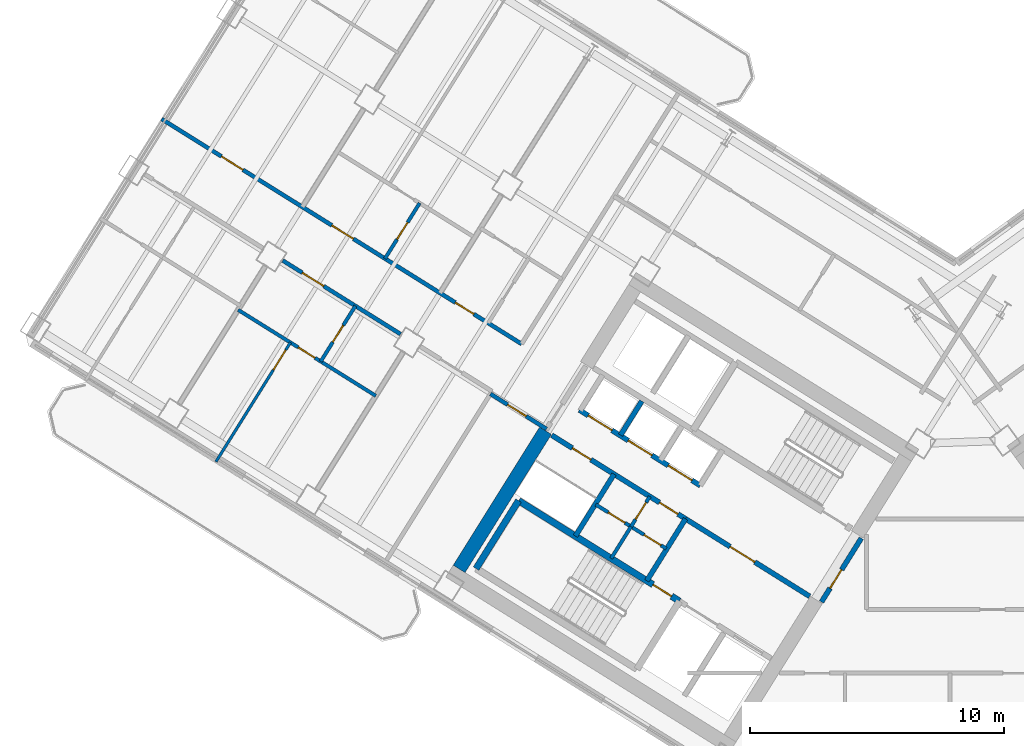
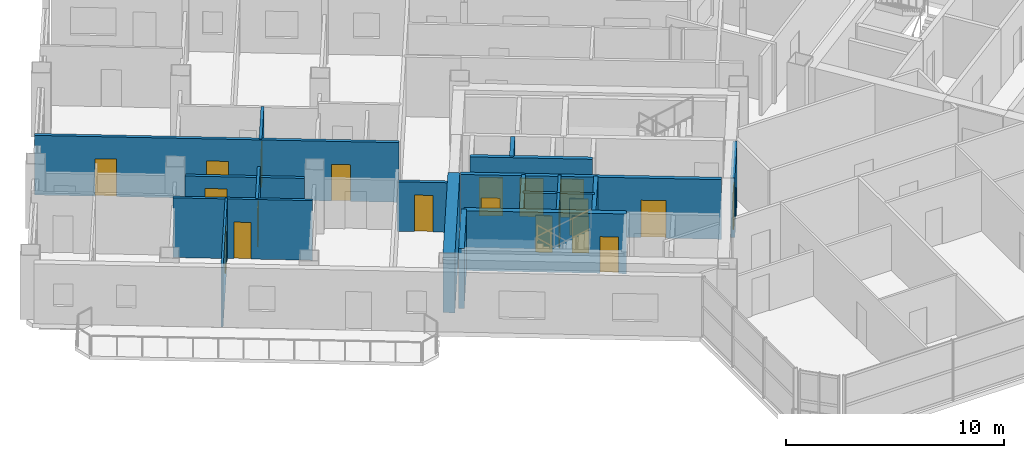
# One storey, part 12 of 21: 20 doors, 20 walls, 20 openings.
"""IFC4 building model written with IfcOpenShell, lengths in metres."""

from ifc_helpers import new_model, si_unit, direction, frame, frame_2d, origin, place, context, subcontext, project, spatial, rectangle, extrude, source, transform, mapped, material, layer, layer_set, type_object, element, fill, save


model = new_model("IFC4")

# Units and contexts
model_context = context("Model", 3, precision=1e-05, world=origin(), true_north=direction((0.0, 1.0)))
body_context = subcontext(model_context, "Body", "Model", "MODEL_VIEW")
ifc_project = project(units=[si_unit("LENGTHUNIT", "METRE"), si_unit("AREAUNIT", "SQUARE_METRE"), si_unit("VOLUMEUNIT", "CUBIC_METRE"), si_unit("PLANEANGLEUNIT", "RADIAN"), si_unit("MASSUNIT", "GRAM", prefix="KILO")], contexts=[model_context])

# Site, building, storey
site_placement = place(None, origin())
site = spatial("IfcSite", under=ifc_project, at=site_placement, CompositionType="ELEMENT")
building_placement = place(site_placement, origin())
building = spatial("IfcBuilding", under=site, at=building_placement, Name="Tlacorven Tower", CompositionType="ELEMENT")
storey_placement = place(building_placement, frame((0.0, 0.0, 112.5)))
storey = spatial("IfcBuildingStorey", under=building, at=storey_placement, Name="L28", CompositionType="ELEMENT", Elevation=112.5)

# Wall
ifc_material_1 = material(Name="Concrete C60/75", Category="concrete")
ifc_layer_1 = layer(ifc_material_1, 0.550048828125)
ifc_layer_set_1 = layer_set([ifc_layer_1], Name="Concrete C60/75")
wall_type_1 = type_object("IfcWallType", Name="WL-COR-550", PredefinedType="SHEAR", material=ifc_layer_set_1)
wall_1_placement = place(storey_placement, frame((26.006591796875, 24.975830078125, 0.0), z_axis=(0.0, 0.0, 1.0), x_axis=(-0.529923795287, -0.848045264823, 0.0)))
element("IfcWall", 1, at=wall_1_placement, inside=storey, type_object=wall_type_1, Name="L28 W core end wall E2.2", PredefinedType="SHEAR", context=body_context, shape_type="SweptSolid", body=[
    extrude(rectangle(XDim=6.425048828125, YDim=0.550048828125, at=frame_2d((3.21240234375, 0.0))), origin(), (0.0, 0.0, 1.0), 3.35009765625),
])

# Wall, opening, door
ifc_material_2 = material(Name="Gypsum plasterboard acoustic partition", Category="gypsum")
ifc_layer_2 = layer(ifc_material_2, 0.159912109375)
ifc_layer_set_2 = layer_set([ifc_layer_2], Name="Gypsum plasterboard acoustic partition")
wall_type_2 = type_object("IfcWallType", Name="WL-DEM-160", PredefinedType="PARTITIONING", material=ifc_layer_set_2)
wall_2_placement = place(storey_placement, frame((26.048828125, 25.043701171875, 0.0), z_axis=(0.0, 0.0, 1.0), x_axis=(-0.848050851465, 0.529914854792, 0.0)))
wall_2 = element("IfcWall", 2, at=wall_2_placement, inside=storey, type_object=wall_type_2, Name="L28 partition 46", PredefinedType="PARTITIONING", context=body_context, shape_type="SweptSolid", body=[
    extrude(rectangle(XDim=2.60986328125, YDim=0.159912109375, at=frame_2d((1.304931640625, 0.0))), origin(), (0.0, 0.0, 1.0), 2.77490234375),
])
opening_1_placement = place(wall_2_placement, frame((0.949951171875, 0.0, 0.0)))
opening_1 = element("IfcOpeningElement", 3, at=opening_1_placement, cuts=wall_2, Name="Opening D19", PredefinedType="OPENING", context=body_context, shape_type="SweptSolid", body=[
    extrude(rectangle(XDim=0.860107421875, YDim=2.050048828125, at=frame_2d((0.43017578125, 1.02490234375))), frame((0.0, 0.08984375, 0.0), z_axis=(0.0, -1.0, 0.0), x_axis=(1.0, 0.0, 0.0)), (0.0, 0.0, 1.0), 0.179931640625),
])
ifc_material_3 = material(Name="Fire-rated steel door assembly", Category="steel")
door_type_1 = type_object("IfcDoorType", Name="DR-RSR-FD60-0860", OperationType="NOTDEFINED", PredefinedType="DOOR", material=ifc_material_3)
shared_shape_1 = source(origin(), body_context, "Body", "SweptSolid", [
    extrude(rectangle(XDim=0.860107421875, YDim=2.050048828125, at=frame_2d((0.43017578125, 1.02490234375))), frame((0.0, 0.02490234375, 0.0), z_axis=(0.0, -1.0, 0.0), x_axis=(1.0, 0.0, 0.0)), (0.0, 0.0, 1.0), 0.050048828125),
])
door_1_placement = place(opening_1_placement, origin())
door_1 = element("IfcDoor", 4, at=door_1_placement, inside=storey, type_object=door_type_1, Name="L28 door 022", OperationType="SINGLE_SWING_RIGHT", OverallHeight=2.050048828125, OverallWidth=0.860107421875, PredefinedType="DOOR", context=body_context, shape_type="MappedRepresentation", body=[
    mapped(shared_shape_1, transform((0.0, 0.0, 0.0), scale=1.0)),
])
fill(opening_1, door_1)

# Wall, openings, doors
wall_3_placement = place(storey_placement, frame((25.06494140625, 28.394287109375, 0.0), z_axis=(0.0, 0.0, 1.0), x_axis=(-0.848048310262, 0.529918921593, 0.0)))
wall_3 = element("IfcWall", 5, at=wall_3_placement, inside=storey, type_object=wall_type_2, Name="L28 Wing W Corridor South Wall", PredefinedType="PARTITIONING", context=body_context, shape_type="SweptSolid", body=[
    extrude(rectangle(XDim=16.72998046875, YDim=0.159912109375, at=frame_2d((8.364990234375, 0.0))), origin(), (0.0, 0.0, 1.0), 3.340087890625),
])
opening_2_placement = place(wall_3_placement, frame((2.219970703125, 0.0, 0.0)))
opening_2 = element("IfcOpeningElement", 6, at=opening_2_placement, cuts=wall_3, Name="Opening D19", PredefinedType="OPENING", context=body_context, shape_type="SweptSolid", body=[
    extrude(rectangle(XDim=0.860107421875, YDim=2.050048828125, at=frame_2d((0.43017578125, 1.02490234375))), frame((0.0, 0.08984375, 0.0), z_axis=(0.0, -1.0, 0.0), x_axis=(1.0, 0.0, 0.0)), (0.0, 0.0, 1.0), 0.179931640625),
])
opening_3_placement = place(wall_3_placement, frame((7.820068359375, 0.0, 0.0)))
opening_3 = element("IfcOpeningElement", 7, at=opening_3_placement, cuts=wall_3, Name="Opening D11", PredefinedType="OPENING", context=body_context, shape_type="SweptSolid", body=[
    extrude(rectangle(XDim=1.0, YDim=2.10009765625, at=frame_2d((0.5, 1.050048828125))), frame((0.0, 0.08984375, 0.0), z_axis=(0.0, -1.0, 0.0), x_axis=(1.0, 0.0, 0.0)), (0.0, 0.0, 1.0), 0.179931640625),
])
opening_4_placement = place(wall_3_placement, frame((12.949951171875, 0.0, 0.0)))
opening_4 = element("IfcOpeningElement", 8, at=opening_4_placement, cuts=wall_3, Name="Opening D11", PredefinedType="OPENING", context=body_context, shape_type="SweptSolid", body=[
    extrude(rectangle(XDim=1.0, YDim=2.10009765625, at=frame_2d((0.5, 1.050048828125))), frame((0.0, 0.08984375, 0.0), z_axis=(0.0, -1.0, 0.0), x_axis=(1.0, 0.0, 0.0)), (0.0, 0.0, 1.0), 0.179931640625),
])
door_2_placement = place(opening_2_placement, origin())
door_2 = element("IfcDoor", 9, at=door_2_placement, inside=storey, type_object=door_type_1, Name="L28 door 034", OperationType="SINGLE_SWING_LEFT", OverallHeight=2.050048828125, OverallWidth=0.860107421875, PredefinedType="DOOR", context=body_context, shape_type="MappedRepresentation", body=[
    mapped(shared_shape_1, transform((0.0, 0.0, 0.0), scale=1.0)),
])
fill(opening_2, door_2)
door_type_2 = type_object("IfcDoorType", Name="DR-FLT-FD60-1000", OperationType="NOTDEFINED", PredefinedType="DOOR", material=ifc_material_3)
shared_shape_2 = source(origin(), body_context, "Body", "SweptSolid", [
    extrude(rectangle(XDim=1.0, YDim=2.10009765625, at=frame_2d((0.5, 1.050048828125))), frame((0.0, 0.02490234375, 0.0), z_axis=(0.0, -1.0, 0.0), x_axis=(1.0, 0.0, 0.0)), (0.0, 0.0, 1.0), 0.050048828125),
])
door_3_placement = place(opening_3_placement, origin())
door_3 = element("IfcDoor", 10, at=door_3_placement, inside=storey, type_object=door_type_2, Name="L28 door 038", OperationType="SINGLE_SWING_LEFT", OverallHeight=2.10009765625, OverallWidth=1.0, PredefinedType="DOOR", context=body_context, shape_type="MappedRepresentation", body=[
    mapped(shared_shape_2, transform((0.0, 0.0, 0.0), scale=1.0)),
])
fill(opening_3, door_3)
door_4_placement = place(opening_4_placement, origin())
door_4 = element("IfcDoor", 11, at=door_4_placement, inside=storey, type_object=door_type_2, Name="L28 door 041", OperationType="SINGLE_SWING_RIGHT", OverallHeight=2.10009765625, OverallWidth=1.0, PredefinedType="DOOR", context=body_context, shape_type="MappedRepresentation", body=[
    mapped(shared_shape_2, transform((0.0, 0.0, 0.0), scale=1.0)),
])
fill(opening_4, door_4)

# Wall, opening, door
wall_4_placement = place(storey_placement, frame((20.293212890625, 28.78173828125, 0.0), z_axis=(0.0, 0.0, 1.0), x_axis=(-0.848040881926, 0.529930809241, 0.0)))
wall_4 = element("IfcWall", 12, at=wall_4_placement, inside=storey, type_object=wall_type_2, Name="L28 Wing W Corridor North Wall", PredefinedType="PARTITIONING", context=body_context, shape_type="SweptSolid", body=[
    extrude(rectangle(XDim=5.475830078125, YDim=0.159912109375, at=frame_2d((2.73779296875, 0.0))), origin(), (0.0, 0.0, 1.0), 2.77490234375),
])
opening_5_placement = place(wall_4_placement, frame((3.568115234375, 0.0, 0.0)))
opening_5 = element("IfcOpeningElement", 13, at=opening_5_placement, cuts=wall_4, Name="Opening D11", PredefinedType="OPENING", context=body_context, shape_type="SweptSolid", body=[
    extrude(rectangle(XDim=1.0, YDim=2.10009765625, at=frame_2d((0.5, 1.050048828125))), frame((0.0, 0.08984375, 0.0), z_axis=(0.0, -1.0, 0.0), x_axis=(1.0, 0.0, 0.0)), (0.0, 0.0, 1.0), 0.179931640625),
])
door_5_placement = place(opening_5_placement, origin())
door_5 = element("IfcDoor", 14, at=door_5_placement, inside=storey, type_object=door_type_2, Name="L28 door 026", OperationType="SINGLE_SWING_LEFT", OverallHeight=2.10009765625, OverallWidth=1.0, PredefinedType="DOOR", context=body_context, shape_type="MappedRepresentation", body=[
    mapped(shared_shape_2, transform((0.0, 0.0, 0.0), scale=1.0)),
])
fill(opening_5, door_5)

ifc_material_4 = material(Name="Gypsum plasterboard partition", Category="gypsum")
ifc_layer_3 = layer(ifc_material_4, 0.110107421875)
ifc_layer_set_3 = layer_set([ifc_layer_3], Name="Gypsum plasterboard partition")
wall_type_3 = type_object("IfcWallType", Name="WL-INT-110", PredefinedType="PARTITIONING", material=ifc_layer_set_3)
wall_5_placement = place(storey_placement, frame((15.952880859375, 28.45166015625, 0.0), z_axis=(0.0, 0.0, 1.0), x_axis=(-0.529919714018, -0.848047815099, 0.0)))
wall_5 = element("IfcWall", 15, at=wall_5_placement, inside=storey, type_object=wall_type_3, Name="L28 partition 56", PredefinedType="PARTITIONING", context=body_context, shape_type="SweptSolid", body=[
    extrude(rectangle(XDim=5.5400390625, YDim=0.110107421875, at=frame_2d((2.77001953125, 0.0))), origin(), (0.0, 0.0, 1.0), 3.340087890625),
])
opening_6_placement = place(wall_5_placement, frame((0.35009765625, 0.0, 0.0)))
opening_6 = element("IfcOpeningElement", 16, at=opening_6_placement, cuts=wall_5, Name="Opening D12", PredefinedType="OPENING", context=body_context, shape_type="SweptSolid", body=[
    extrude(rectangle(XDim=0.919921875, YDim=2.080078125, at=frame_2d((0.4599609375, 1.0400390625))), frame((0.0, 0.06494140625, 0.0), z_axis=(0.0, -1.0, 0.0), x_axis=(1.0, 0.0, 0.0)), (0.0, 0.0, 1.0), 0.130126953125),
])
ifc_material_5 = material(Name="Powder-coated aluminium and timber door", Category="wood")
door_type_3 = type_object("IfcDoorType", Name="DR-INT-ROOM-0920", OperationType="NOTDEFINED", PredefinedType="DOOR", material=ifc_material_5)
shared_shape_3 = source(origin(), body_context, "Body", "SweptSolid", [
    extrude(rectangle(XDim=0.919921875, YDim=2.080078125, at=frame_2d((0.4599609375, 1.0400390625))), frame((0.0, 0.02490234375, 0.0), z_axis=(0.0, -1.0, 0.0), x_axis=(1.0, 0.0, 0.0)), (0.0, 0.0, 1.0), 0.050048828125),
])
door_6_placement = place(opening_6_placement, origin())
door_6 = element("IfcDoor", 17, at=door_6_placement, inside=storey, type_object=door_type_3, Name="L28 door 025", OperationType="SINGLE_SWING_RIGHT", OverallHeight=2.080078125, OverallWidth=0.919921875, PredefinedType="DOOR", context=body_context, shape_type="MappedRepresentation", body=[
    mapped(shared_shape_3, transform((0.0, 0.0, 0.0), scale=1.0)),
])
fill(opening_6, door_6)

ifc_material_6 = material(Name="Moisture-resistant gypsum plumbing wall", Category="gypsum")
ifc_layer_4 = layer(ifc_material_6, 0.139892578125)
ifc_layer_set_4 = layer_set([ifc_layer_4], Name="Moisture-resistant gypsum plumbing wall")
wall_type_4 = type_object("IfcWallType", Name="WL-PLM-140", PredefinedType="PLUMBINGWALL", material=ifc_layer_set_4)
wall_6_placement = place(storey_placement, frame((30.117431640625, 22.383544921875, 0.0), z_axis=(0.0, 0.0, 1.0), x_axis=(-0.529951914384, -0.848027693204, 0.0)))
wall_6 = element("IfcWall", 18, at=wall_6_placement, inside=storey, type_object=wall_type_4, Name="L28 partition 23", PredefinedType="PLUMBINGWALL", context=body_context, shape_type="SweptSolid", body=[
    extrude(rectangle(XDim=1.39990234375, YDim=0.139892578125, at=frame_2d((0.699951171875, 0.0))), origin(), (0.0, 0.0, 1.0), 3.340087890625),
])
opening_7_placement = place(wall_6_placement, frame((0.280029296875, 0.0, 0.0)))
opening_7 = element("IfcOpeningElement", 19, at=opening_7_placement, cuts=wall_6, Name="Opening D22", PredefinedType="OPENING", context=body_context, shape_type="SweptSolid", body=[
    extrude(rectangle(XDim=0.780029296875, YDim=2.050048828125, at=frame_2d((0.39013671875, 1.02490234375))), frame((0.0, 0.080078125, 0.0), z_axis=(0.0, -1.0, 0.0), x_axis=(1.0, 0.0, 0.0)), (0.0, 0.0, 1.0), 0.159912109375),
])
door_type_4 = type_object("IfcDoorType", Name="DR-INT-WET-0780", OperationType="NOTDEFINED", PredefinedType="DOOR", material=ifc_material_5)
shared_shape_4 = source(origin(), body_context, "Body", "SweptSolid", [
    extrude(rectangle(XDim=0.780029296875, YDim=2.050048828125, at=frame_2d((0.39013671875, 1.02490234375))), frame((0.0, 0.02490234375, 0.0), z_axis=(0.0, -1.0, 0.0), x_axis=(1.0, 0.0, 0.0)), (0.0, 0.0, 1.0), 0.050048828125),
])
door_7_placement = place(opening_7_placement, origin())
door_7 = element("IfcDoor", 20, at=door_7_placement, inside=storey, type_object=door_type_4, Name="L28 door 011", OperationType="SINGLE_SWING_LEFT", OverallHeight=2.050048828125, OverallWidth=0.780029296875, PredefinedType="DOOR", context=body_context, shape_type="MappedRepresentation", body=[
    mapped(shared_shape_4, transform((0.0, 0.0, 0.0), scale=1.0)),
])
fill(opening_7, door_7)

# Wall
wall_7_placement = place(storey_placement, frame((29.37548828125, 21.1962890625, 0.0), z_axis=(0.0, 0.0, 1.0), x_axis=(-0.529865479138, -0.848081702443, 0.0)))
element("IfcWall", 21, at=wall_7_placement, inside=storey, type_object=wall_type_4, Name="L28 partition 24", PredefinedType="PLUMBINGWALL", context=body_context, shape_type="SweptSolid", body=[
    extrude(rectangle(XDim=1.47998046875, YDim=0.139892578125, at=frame_2d((0.739990234375, 0.0))), origin(), (0.0, 0.0, 1.0), 3.340087890625),
])

# Wall, openings, doors
wall_8_placement = place(storey_placement, frame((30.766357421875, 20.3271484375, 0.0), z_axis=(0.0, 0.0, 1.0), x_axis=(-0.848052663127, 0.529911955482, 0.0)))
wall_8 = element("IfcWall", 22, at=wall_8_placement, inside=storey, type_object=wall_type_4, Name="L28 partition 25", PredefinedType="PLUMBINGWALL", context=body_context, shape_type="SweptSolid", body=[
    extrude(rectangle(XDim=3.27978515625, YDim=0.139892578125, at=frame_2d((1.639892578125, 0.0))), origin(), (0.0, 0.0, 1.0), 3.340087890625),
])
opening_8_placement = place(wall_8_placement, frame((0.25, 0.0, 0.0)))
opening_8 = element("IfcOpeningElement", 23, at=opening_8_placement, cuts=wall_8, Name="Opening D22", PredefinedType="OPENING", context=body_context, shape_type="SweptSolid", body=[
    extrude(rectangle(XDim=0.780029296875, YDim=2.050048828125, at=frame_2d((0.39013671875, 1.02490234375))), frame((0.0, 0.080078125, 0.0), z_axis=(0.0, -1.0, 0.0), x_axis=(1.0, 0.0, 0.0)), (0.0, 0.0, 1.0), 0.159912109375),
])
opening_9_placement = place(wall_8_placement, frame((1.919921875, 0.0, 0.0)))
opening_9 = element("IfcOpeningElement", 24, at=opening_9_placement, cuts=wall_8, Name="Opening D22", PredefinedType="OPENING", context=body_context, shape_type="SweptSolid", body=[
    extrude(rectangle(XDim=0.780029296875, YDim=2.050048828125, at=frame_2d((0.39013671875, 1.02490234375))), frame((0.0, 0.080078125, 0.0), z_axis=(0.0, -1.0, 0.0), x_axis=(1.0, 0.0, 0.0)), (0.0, 0.0, 1.0), 0.159912109375),
])
door_8_placement = place(opening_8_placement, origin())
door_8 = element("IfcDoor", 25, at=door_8_placement, inside=storey, type_object=door_type_4, Name="L28 door 012", OperationType="SINGLE_SWING_RIGHT", OverallHeight=2.050048828125, OverallWidth=0.780029296875, PredefinedType="DOOR", context=body_context, shape_type="MappedRepresentation", body=[
    mapped(shared_shape_4, transform((0.0, 0.0, 0.0), scale=1.0)),
])
fill(opening_8, door_8)
door_9_placement = place(opening_9_placement, origin())
door_9 = element("IfcDoor", 26, at=door_9_placement, inside=storey, type_object=door_type_4, Name="L28 door 013", OperationType="SINGLE_SWING_LEFT", OverallHeight=2.050048828125, OverallWidth=0.780029296875, PredefinedType="DOOR", context=body_context, shape_type="MappedRepresentation", body=[
    mapped(shared_shape_4, transform((0.0, 0.0, 0.0), scale=1.0)),
])
fill(opening_9, door_9)

# Wall, opening, door
wall_9_placement = place(storey_placement, frame((19.31787109375, 26.348876953125, 0.0), z_axis=(0.0, 0.0, 1.0), x_axis=(-0.848039019877, 0.529933789039, 0.0)))
wall_9 = element("IfcWall", 27, at=wall_9_placement, inside=storey, type_object=wall_type_4, Name="L28 partition 54", PredefinedType="PLUMBINGWALL", context=body_context, shape_type="SweptSolid", body=[
    extrude(rectangle(XDim=6.400146484375, YDim=0.139892578125, at=frame_2d((3.2001953125, 0.0))), origin(), (0.0, 0.0, 1.0), 3.340087890625),
])
opening_10_placement = place(wall_9_placement, frame((2.823974609375, 0.0, 0.0)))
opening_10 = element("IfcOpeningElement", 28, at=opening_10_placement, cuts=wall_9, Name="Opening D22", PredefinedType="OPENING", context=body_context, shape_type="SweptSolid", body=[
    extrude(rectangle(XDim=0.780029296875, YDim=2.050048828125, at=frame_2d((0.39013671875, 1.02490234375))), frame((0.0, 0.080078125, 0.0), z_axis=(0.0, -1.0, 0.0), x_axis=(1.0, 0.0, 0.0)), (0.0, 0.0, 1.0), 0.159912109375),
])
door_10_placement = place(opening_10_placement, origin())
door_10 = element("IfcDoor", 29, at=door_10_placement, inside=storey, type_object=door_type_4, Name="L28 door 027", OperationType="SINGLE_SWING_RIGHT", OverallHeight=2.050048828125, OverallWidth=0.780029296875, PredefinedType="DOOR", context=body_context, shape_type="MappedRepresentation", body=[
    mapped(shared_shape_4, transform((0.0, 0.0, 0.0), scale=1.0)),
])
fill(opening_10, door_10)

wall_10_placement = place(storey_placement, frame((18.513916015625, 29.8935546875, 0.0), z_axis=(0.0, 0.0, 1.0), x_axis=(-0.529913878929, -0.848051461244, 0.0)))
wall_10 = element("IfcWall", 30, at=wall_10_placement, inside=storey, type_object=wall_type_4, Name="L28 partition 55", PredefinedType="PLUMBINGWALL", context=body_context, shape_type="SweptSolid", body=[
    extrude(rectangle(XDim=2.580078125, YDim=0.139892578125, at=frame_2d((1.2900390625, 0.0))), origin(), (0.0, 0.0, 1.0), 3.340087890625),
])
opening_11_placement = place(wall_10_placement, frame((0.89990234375, 0.0, 0.0)))
opening_11 = element("IfcOpeningElement", 31, at=opening_11_placement, cuts=wall_10, Name="Opening D22", PredefinedType="OPENING", context=body_context, shape_type="SweptSolid", body=[
    extrude(rectangle(XDim=0.780029296875, YDim=2.050048828125, at=frame_2d((0.39013671875, 1.02490234375))), frame((0.0, 0.080078125, 0.0), z_axis=(0.0, -1.0, 0.0), x_axis=(1.0, 0.0, 0.0)), (0.0, 0.0, 1.0), 0.159912109375),
])
door_11_placement = place(opening_11_placement, origin())
door_11 = element("IfcDoor", 32, at=door_11_placement, inside=storey, type_object=door_type_4, Name="L28 door 028", OperationType="SINGLE_SWING_LEFT", OverallHeight=2.050048828125, OverallWidth=0.780029296875, PredefinedType="DOOR", context=body_context, shape_type="MappedRepresentation", body=[
    mapped(shared_shape_4, transform((0.0, 0.0, 0.0), scale=1.0)),
])
fill(opening_11, door_11)

wall_11_placement = place(storey_placement, frame((21.047119140625, 33.947265625, 0.0), z_axis=(0.0, 0.0, 1.0), x_axis=(-0.529913878929, -0.848051461244, 0.0)))
wall_11 = element("IfcWall", 33, at=wall_11_placement, inside=storey, type_object=wall_type_4, Name="L28 partition 66", PredefinedType="PLUMBINGWALL", context=body_context, shape_type="SweptSolid", body=[
    extrude(rectangle(XDim=2.580078125, YDim=0.139892578125, at=frame_2d((1.2900390625, 0.0))), origin(), (0.0, 0.0, 1.0), 3.340087890625),
])
opening_12_placement = place(wall_11_placement, frame((0.89990234375, 0.0, 0.0)))
opening_12 = element("IfcOpeningElement", 34, at=opening_12_placement, cuts=wall_11, Name="Opening D22", PredefinedType="OPENING", context=body_context, shape_type="SweptSolid", body=[
    extrude(rectangle(XDim=0.780029296875, YDim=2.050048828125, at=frame_2d((0.39013671875, 1.02490234375))), frame((0.0, 0.080078125, 0.0), z_axis=(0.0, -1.0, 0.0), x_axis=(1.0, 0.0, 0.0)), (0.0, 0.0, 1.0), 0.159912109375),
])
door_12_placement = place(opening_12_placement, origin())
door_12 = element("IfcDoor", 35, at=door_12_placement, inside=storey, type_object=door_type_4, Name="L28 door 040", OperationType="SINGLE_SWING_LEFT", OverallHeight=2.050048828125, OverallWidth=0.780029296875, PredefinedType="DOOR", context=body_context, shape_type="MappedRepresentation", body=[
    mapped(shared_shape_4, transform((0.0, 0.0, 0.0), scale=1.0)),
])
fill(opening_12, door_12)

ifc_material_7 = material(Name="Concrete C40/50", Category="concrete")
ifc_layer_5 = layer(ifc_material_7, 0.199951171875)
ifc_layer_set_5 = layer_set([ifc_layer_5], Name="Concrete C40/50")
wall_type_5 = type_object("IfcWallType", Name="WL-SHF-200", PredefinedType="STANDARD", material=ifc_layer_set_5)
wall_12_placement = place(storey_placement, frame((36.416748046875, 18.447265625, 0.0), z_axis=(0.0, 0.0, 1.0), x_axis=(-0.848064879198, 0.529892404805, 0.0)))
wall_12 = element("IfcWall", 36, at=wall_12_placement, inside=storey, type_object=wall_type_5, Name="L28 Core W Smoke Lobby Wall", PredefinedType="STANDARD", context=body_context, shape_type="SweptSolid", body=[
    extrude(rectangle(XDim=5.76806640625, YDim=0.199951171875, at=frame_2d((2.884033203125, 0.0))), origin(), (0.0, 0.0, 1.0), 3.340087890625),
])
opening_13_placement = place(wall_12_placement, frame((2.548095703125, 0.0, 0.0)))
opening_13 = element("IfcOpeningElement", 37, at=opening_13_placement, cuts=wall_12, Name="Opening D09", PredefinedType="OPENING", context=body_context, shape_type="SweptSolid", body=[
    extrude(rectangle(XDim=1.14990234375, YDim=2.10009765625, at=frame_2d((0.574951171875, 1.050048828125))), frame((0.0, 0.10986328125, 0.0), z_axis=(0.0, -1.0, 0.0), x_axis=(1.0, 0.0, 0.0)), (0.0, 0.0, 1.0), 0.219970703125),
])
door_type_5 = type_object("IfcDoorType", Name="DR-FFL-FD60-1150", OperationType="NOTDEFINED", PredefinedType="DOOR", material=ifc_material_3)
shared_shape_5 = source(origin(), body_context, "Body", "SweptSolid", [
    extrude(rectangle(XDim=1.14990234375, YDim=2.10009765625, at=frame_2d((0.574951171875, 1.050048828125))), frame((0.0, 0.02490234375, 0.0), z_axis=(0.0, -1.0, 0.0), x_axis=(1.0, 0.0, 0.0)), (0.0, 0.0, 1.0), 0.050048828125),
])
door_13_placement = place(opening_13_placement, origin())
door_13 = element("IfcDoor", 38, at=door_13_placement, inside=storey, type_object=door_type_5, Name="L28 Firefighting Lobby W Fire Door", OperationType="SINGLE_SWING_RIGHT", OverallHeight=2.10009765625, OverallWidth=1.14990234375, PredefinedType="DOOR", context=body_context, shape_type="MappedRepresentation", body=[
    mapped(shared_shape_5, transform((0.0, 0.0, 0.0), scale=1.0)),
])
fill(opening_13, door_13)

# Wall, openings, doors
wall_13_placement = place(storey_placement, frame((32.108154296875, 22.81396484375, 0.0), z_axis=(0.0, 0.0, 1.0), x_axis=(-0.848042229521, 0.529928652696, 0.0)))
wall_13 = element("IfcWall", 39, at=wall_13_placement, inside=storey, type_object=wall_type_5, Name="L28 partition 11", PredefinedType="STANDARD", context=body_context, shape_type="SweptSolid", body=[
    extrude(rectangle(XDim=5.6201171875, YDim=0.199951171875, at=frame_2d((2.81005859375, 0.0))), origin(), (0.0, 0.0, 1.0), 3.340087890625),
])
opening_14_placement = place(wall_13_placement, frame((0.389892578125, 0.0, 0.0)))
opening_14 = element("IfcOpeningElement", 40, at=opening_14_placement, cuts=wall_13, Name="Opening LD01", PredefinedType="OPENING", context=body_context, shape_type="SweptSolid", body=[
    extrude(rectangle(XDim=1.10009765625, YDim=2.14990234375, at=frame_2d((0.550048828125, 1.074951171875))), frame((0.0, 0.10986328125, 0.0), z_axis=(0.0, -1.0, 0.0), x_axis=(1.0, 0.0, 0.0)), (0.0, 0.0, 1.0), 0.219970703125),
])
opening_15_placement = place(wall_13_placement, frame((2.25, 0.0, 0.0)))
opening_15 = element("IfcOpeningElement", 41, at=opening_15_placement, cuts=wall_13, Name="Opening LD01", PredefinedType="OPENING", context=body_context, shape_type="SweptSolid", body=[
    extrude(rectangle(XDim=1.10009765625, YDim=2.14990234375, at=frame_2d((0.550048828125, 1.074951171875))), frame((0.0, 0.10986328125, 0.0), z_axis=(0.0, -1.0, 0.0), x_axis=(1.0, 0.0, 0.0)), (0.0, 0.0, 1.0), 0.219970703125),
])
opening_16_placement = place(wall_13_placement, frame((4.110107421875, 0.0, 0.0)))
opening_16 = element("IfcOpeningElement", 42, at=opening_16_placement, cuts=wall_13, Name="Opening LD01", PredefinedType="OPENING", context=body_context, shape_type="SweptSolid", body=[
    extrude(rectangle(XDim=1.10009765625, YDim=2.14990234375, at=frame_2d((0.550048828125, 1.074951171875))), frame((0.0, 0.10986328125, 0.0), z_axis=(0.0, -1.0, 0.0), x_axis=(1.0, 0.0, 0.0)), (0.0, 0.0, 1.0), 0.219970703125),
])
door_type_6 = type_object("IfcDoorType", Name="DR-LFT-SLID-1100", OperationType="DOUBLE_DOOR_SLIDING", PredefinedType="DOOR", material=ifc_material_3)
shared_shape_6 = source(origin(), body_context, "Body", "SweptSolid", [
    extrude(rectangle(XDim=1.10009765625, YDim=2.14990234375, at=frame_2d((0.550048828125, 1.074951171875))), frame((0.0, 0.02490234375, 0.0), z_axis=(0.0, -1.0, 0.0), x_axis=(1.0, 0.0, 0.0)), (0.0, 0.0, 1.0), 0.050048828125),
])
door_14_placement = place(opening_14_placement, origin())
door_14 = element("IfcDoor", 43, at=door_14_placement, inside=storey, type_object=door_type_6, Name="L28 Lift PL-M1 Sliding Landing Door", OperationType="DOUBLE_DOOR_SLIDING", OverallHeight=2.14990234375, OverallWidth=1.10009765625, PredefinedType="DOOR", context=body_context, shape_type="MappedRepresentation", body=[
    mapped(shared_shape_6, transform((0.0, 0.0, 0.0), scale=1.0)),
])
fill(opening_14, door_14)
door_15_placement = place(opening_15_placement, origin())
door_15 = element("IfcDoor", 44, at=door_15_placement, inside=storey, type_object=door_type_6, Name="L28 Lift PL-M2 Sliding Landing Door", OperationType="DOUBLE_DOOR_SLIDING", OverallHeight=2.14990234375, OverallWidth=1.10009765625, PredefinedType="DOOR", context=body_context, shape_type="MappedRepresentation", body=[
    mapped(shared_shape_6, transform((0.0, 0.0, 0.0), scale=1.0)),
])
fill(opening_15, door_15)
door_16_placement = place(opening_16_placement, origin())
door_16 = element("IfcDoor", 45, at=door_16_placement, inside=storey, type_object=door_type_6, Name="L28 Lift PL-M3 Sliding Landing Door", OperationType="DOUBLE_DOOR_SLIDING", OverallHeight=2.14990234375, OverallWidth=1.10009765625, PredefinedType="DOOR", context=body_context, shape_type="MappedRepresentation", body=[
    mapped(shared_shape_6, transform((0.0, 0.0, 0.0), scale=1.0)),
])
fill(opening_16, door_16)

# Walls
wall_14_placement = place(storey_placement, frame((29.80126953125, 26.14208984375, 0.0), z_axis=(0.0, 0.0, 1.0), x_axis=(-0.529998940003, -0.847998304005, 0.0)))
element("IfcWall", 46, at=wall_14_placement, inside=storey, type_object=wall_type_5, Name="L28 partition 19", PredefinedType="STANDARD", context=body_context, shape_type="SweptSolid", body=[
    extrude(rectangle(XDim=1.580078125, YDim=0.199951171875, at=frame_2d((0.7900390625, 0.0))), origin(), (0.0, 0.0, 1.0), 3.340087890625),
])
for number, where, z_axis, x_axis, name in (
    (47, (31.525146484375, 21.503662109375, 0.0), (0.0, 0.0, 1.0), (-0.529907497854, -0.848055448493, 0.0), "L28 partition 20"),
    (48, (28.709716796875, 23.26318359375, 0.0), (0.0, 0.0, 1.0), (-0.529907497854, -0.848055448493, 0.0), "L28 partition 21"),
):
    element("IfcWall", number, at=place(storey_placement, frame(where, z_axis=z_axis, x_axis=x_axis)), inside=storey, type_object=wall_type_5, Name=name, PredefinedType="STANDARD", context=body_context, shape_type="SweptSolid", body=[
        extrude(rectangle(XDim=2.8798828125, YDim=0.199951171875, at=frame_2d((1.43994140625, 0.0))), origin(), (0.0, 0.0, 1.0), 3.340087890625),
    ])

# Wall, openings, doors
wall_15_placement = place(storey_placement, frame((31.525146484375, 21.503662109375, 0.0), z_axis=(0.0, 0.0, 1.0), x_axis=(-0.848040211232, 0.529931882541, 0.0)))
wall_15 = element("IfcWall", 49, at=wall_15_placement, inside=storey, type_object=wall_type_5, Name="L28 Core W North Service Wall", PredefinedType="STANDARD", context=body_context, shape_type="SweptSolid", body=[
    extrude(rectangle(XDim=6.218017578125, YDim=0.199951171875, at=frame_2d((3.10888671875, 0.0))), origin(), (0.0, 0.0, 1.0), 3.340087890625),
])
opening_17_placement = place(wall_15_placement, frame((4.39990234375, 0.0, 0.0)))
opening_17 = element("IfcOpeningElement", 50, at=opening_17_placement, cuts=wall_15, Name="Opening D19", PredefinedType="OPENING", context=body_context, shape_type="SweptSolid", body=[
    extrude(rectangle(XDim=0.860107421875, YDim=2.050048828125, at=frame_2d((0.43017578125, 1.02490234375))), frame((0.0, 0.10986328125, 0.0), z_axis=(0.0, -1.0, 0.0), x_axis=(1.0, 0.0, 0.0)), (0.0, 0.0, 1.0), 0.219970703125),
])
opening_18_placement = place(wall_15_placement, frame((0.35009765625, 0.0, 0.0)))
opening_18 = element("IfcOpeningElement", 51, at=opening_18_placement, cuts=wall_15, Name="Opening D19", PredefinedType="OPENING", context=body_context, shape_type="SweptSolid", body=[
    extrude(rectangle(XDim=0.860107421875, YDim=2.050048828125, at=frame_2d((0.43017578125, 1.02490234375))), frame((0.0, 0.10986328125, 0.0), z_axis=(0.0, -1.0, 0.0), x_axis=(1.0, 0.0, 0.0)), (0.0, 0.0, 1.0), 0.219970703125),
])
door_17_placement = place(opening_17_placement, frame((0.860107421875, 0.0, 0.0), z_axis=(0.0, 0.0, 1.0), x_axis=(-1.0, 0.0, 0.0)))
door_17 = element("IfcDoor", 52, at=door_17_placement, inside=storey, type_object=door_type_1, Name="L28 Electrical Riser Access Door W", OperationType="SINGLE_SWING_LEFT", OverallHeight=2.050048828125, OverallWidth=0.860107421875, PredefinedType="DOOR", context=body_context, shape_type="MappedRepresentation", body=[
    mapped(shared_shape_1, transform((0.0, 0.0, 0.0), scale=1.0)),
])
fill(opening_17, door_17)
door_18_placement = place(opening_18_placement, frame((0.860107421875, 0.0, 0.0), z_axis=(0.0, 0.0, 1.0), x_axis=(-1.0, 0.0, 0.0)))
door_18 = element("IfcDoor", 53, at=door_18_placement, inside=storey, type_object=door_type_1, Name="L28 Cleaning Room Access Door W", OperationType="SINGLE_SWING_RIGHT", OverallHeight=2.050048828125, OverallWidth=0.860107421875, PredefinedType="DOOR", context=body_context, shape_type="MappedRepresentation", body=[
    mapped(shared_shape_1, transform((0.0, 0.0, 0.0), scale=1.0)),
])
fill(opening_18, door_18)

# Wall, opening, door
wall_16_placement = place(storey_placement, frame((38.451416015625, 20.737060546875, 0.0), z_axis=(0.0, 0.0, 1.0), x_axis=(-0.529924799939, -0.848044637038, 0.0)))
wall_16 = element("IfcWall", 54, at=wall_16_placement, inside=storey, type_object=wall_type_5, Name="L28 partition 73", PredefinedType="STANDARD", context=body_context, shape_type="SweptSolid", body=[
    extrude(rectangle(XDim=2.9599609375, YDim=0.199951171875, at=frame_2d((1.47998046875, 0.0))), origin(), (0.0, 0.0, 1.0), 3.340087890625),
])
opening_19_placement = place(wall_16_placement, frame((1.4599609375, 0.0, 0.0)))
opening_19 = element("IfcOpeningElement", 55, at=opening_19_placement, cuts=wall_16, Name="Opening D19", PredefinedType="OPENING", context=body_context, shape_type="SweptSolid", body=[
    extrude(rectangle(XDim=0.860107421875, YDim=2.050048828125, at=frame_2d((0.43017578125, 1.02490234375))), frame((0.0, 0.10986328125, 0.0), z_axis=(0.0, -1.0, 0.0), x_axis=(1.0, 0.0, 0.0)), (0.0, 0.0, 1.0), 0.219970703125),
])
door_19_placement = place(opening_19_placement, frame((0.860107421875, 0.0, 0.0), z_axis=(0.0, 0.0, 1.0), x_axis=(-1.0, 0.0, 0.0)))
door_19 = element("IfcDoor", 56, at=door_19_placement, inside=storey, type_object=door_type_1, Name="L28 door 047", OperationType="SINGLE_SWING_LEFT", OverallHeight=2.050048828125, OverallWidth=0.860107421875, PredefinedType="DOOR", context=body_context, shape_type="MappedRepresentation", body=[
    mapped(shared_shape_1, transform((0.0, 0.0, 0.0), scale=1.0)),
])
fill(opening_19, door_19)

ifc_material_8 = material(Name="Concrete C50/60", Category="concrete")
ifc_layer_6 = layer(ifc_material_8, 0.260009765625)
ifc_layer_set_6 = layer_set([ifc_layer_6], Name="Concrete C50/60")
wall_type_6 = type_object("IfcWallType", Name="WL-STW-260", PredefinedType="SHEAR", material=ifc_layer_set_6)
wall_17_placement = place(storey_placement, frame((31.279541015625, 18.26123046875, 0.0), z_axis=(0.0, 0.0, 1.0), x_axis=(-0.848051618787, 0.529913626805, 0.0)))
wall_17 = element("IfcWall", 57, at=wall_17_placement, inside=storey, type_object=wall_type_6, Name="L28 Stair W1 Lobby Shear Wall", PredefinedType="SHEAR", context=body_context, shape_type="SweptSolid", body=[
    extrude(rectangle(XDim=7.4599609375, YDim=0.260009765625, at=frame_2d((3.72998046875, 0.0))), origin(), (0.0, 0.0, 1.0), 3.35009765625),
])
opening_20_placement = place(wall_17_placement, frame((0.360107421875, 0.0, 0.0)))
opening_20 = element("IfcOpeningElement", 58, at=opening_20_placement, cuts=wall_17, Name="Opening D19", PredefinedType="OPENING", context=body_context, shape_type="SweptSolid", body=[
    extrude(rectangle(XDim=0.860107421875, YDim=2.050048828125, at=frame_2d((0.43017578125, 1.02490234375))), frame((0.0, 0.14013671875, 0.0), z_axis=(0.0, -1.0, 0.0), x_axis=(1.0, 0.0, 0.0)), (0.0, 0.0, 1.0), 0.280029296875),
])
door_20_placement = place(opening_20_placement, frame((0.860107421875, 0.0, 0.0), z_axis=(0.0, 0.0, 1.0), x_axis=(-1.0, 0.0, 0.0)))
door_20 = element("IfcDoor", 59, at=door_20_placement, inside=storey, type_object=door_type_1, Name="L28 Exit Stair W1 Fire Door", OperationType="SINGLE_SWING_LEFT", OverallHeight=2.050048828125, OverallWidth=0.860107421875, PredefinedType="DOOR", context=body_context, shape_type="MappedRepresentation", body=[
    mapped(shared_shape_1, transform((0.0, 0.0, 0.0), scale=1.0)),
])
fill(opening_20, door_20)

# Wall
wall_18_placement = place(storey_placement, frame((24.944580078125, 22.2197265625, 0.0), z_axis=(0.0, 0.0, 1.0), x_axis=(-0.529908658664, -0.84805472316, 0.0)))
element("IfcWall", 60, at=wall_18_placement, inside=storey, type_object=wall_type_6, Name="L28 Stair W1 East Shear Wall", PredefinedType="SHEAR", context=body_context, shape_type="SweptSolid", body=[
    extrude(rectangle(XDim=3.16015625, YDim=0.260009765625, at=frame_2d((1.580078125, 0.0))), origin(), (0.0, 0.0, 1.0), 3.35009765625),
])

save(model, "model.ifc")
